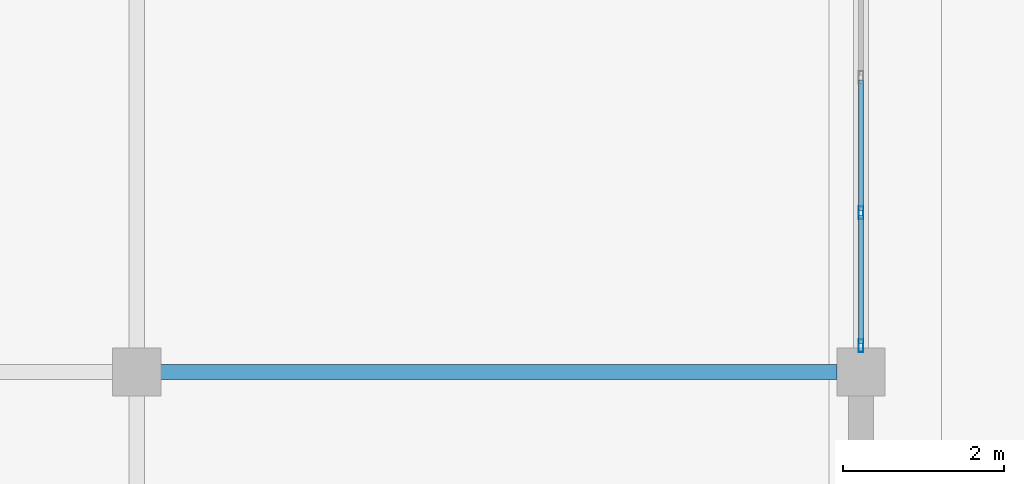
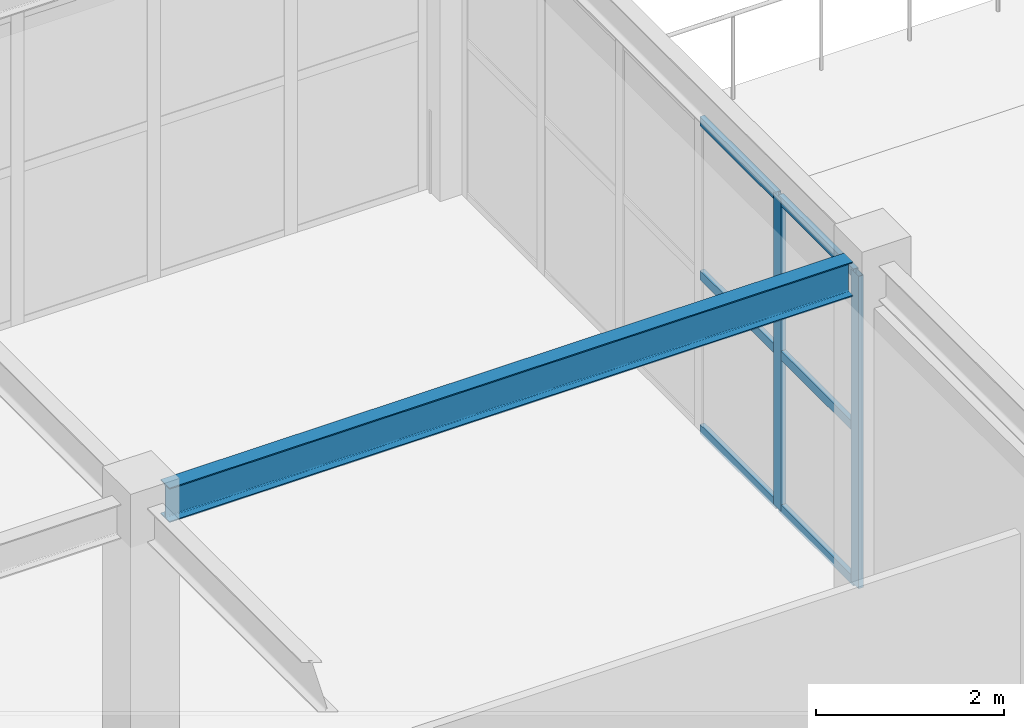
# One storey, part 91 of 167: 8 members, 1 beam, 1 element without a shape of its own.
"""IFC4 building model written with IfcOpenShell, lengths in metres."""

import ifcopenshell
import ifcopenshell.guid

model = None  # the IFC model being written
_history = None  # IfcOwnerHistory: only IFC2X3 demands one
_inside = {}  # id of a spatial element -> (the spatial element, [elements in it])
_under = {}  # id of a project, library or spatial element -> (it, [spatial elements below it])
_declared = {}  # id of a project -> (the project, [libraries it declares])
_typed = {}  # id of a type object -> (the type object, [elements of that type])
_made_of = {}  # id of a material, layer set ... -> (it, [elements and type objects made of it])


def new_model(schema):
    """Start an empty IFC model of exactly this schema.

    Asked for "IFC4X3", IfcOpenShell would pick the latest addendum, in which some entities
    have other attributes; the version numbers below select the first issue.
    IFC2X3 requires an IfcOwnerHistory on every rooted entity: one is made here for all.
    """
    global model, _history
    if schema == "IFC4X3":
        model = ifcopenshell.file(schema_version=(4, 3, 0, 0))
    else:
        model = ifcopenshell.file(schema=schema)
    _inside.clear()
    _under.clear()
    _declared.clear()
    _typed.clear()
    _made_of.clear()
    _history = None
    if model.schema == "IFC2X3":
        org = make("IfcOrganization", Name="unknown")
        user = make(
            "IfcPersonAndOrganization",
            ThePerson=make("IfcPerson", FamilyName="unknown"),
            TheOrganization=org,
        )
        app = make(
            "IfcApplication",
            ApplicationDeveloper=org,
            Version="unknown",
            ApplicationFullName="unknown",
            ApplicationIdentifier="unknown",
        )
        _history = make(
            "IfcOwnerHistory",
            OwningUser=user,
            OwningApplication=app,
            ChangeAction="ADDED",
            CreationDate=0,
        )
    return model


def make(cls, **values):
    """One entity of the class cls with the attributes given. An attribute that is None is left unset."""
    return model.create_entity(
        cls, **{name: value for name, value in values.items() if value is not None}
    )


def rooted(cls, **values):
    """An entity with a GlobalId (a new one), such as an element, a storey or a relation."""
    return make(cls, GlobalId=ifcopenshell.guid.new(), OwnerHistory=_history, **values)


def si_unit(unit_type, name, prefix=None):
    """IfcSIUnit, for example si_unit("LENGTHUNIT", "METRE", prefix="MILLI")."""
    return make("IfcSIUnit", UnitType=unit_type, Prefix=prefix, Name=name)


def assignment(units):
    """IfcUnitAssignment: the units of a project."""
    return None if units is None else make("IfcUnitAssignment", Units=units)


def point(xyz):
    """IfcCartesianPoint."""
    return None if xyz is None else make("IfcCartesianPoint", Coordinates=xyz)


def direction(xyz):
    """IfcDirection."""
    return None if xyz is None else make("IfcDirection", DirectionRatios=xyz)


def frame(location, z_axis=None, x_axis=None):
    """IfcAxis2Placement3D, a coordinate frame: its origin and axes. An axis left out is left unset."""
    return make(
        "IfcAxis2Placement3D",
        Location=point(location),
        Axis=direction(z_axis),
        RefDirection=direction(x_axis),
    )


def frame_2d(location, x_axis=None):
    """IfcAxis2Placement2D, a coordinate frame in the plane: its origin and x axis."""
    return make(
        "IfcAxis2Placement2D", Location=point(location), RefDirection=direction(x_axis)
    )


def origin():
    """The frame at (0, 0, 0) with its axes left unset."""
    return frame((0.0, 0.0, 0.0))


def origin_2d():
    """The frame at (0, 0) in the plane with its x axis left unset."""
    return frame_2d((0.0, 0.0))


def place(relative_to, where):
    """IfcLocalPlacement: puts the frame where relative to a parent placement (None: the world)."""
    return make(
        "IfcLocalPlacement", PlacementRelTo=relative_to, RelativePlacement=where
    )


def context(
    kind, dimensions, precision=None, world=None, true_north=None, identifier=None
):
    """IfcGeometricRepresentationContext, for example the 3D "Model" context."""
    return make(
        "IfcGeometricRepresentationContext",
        ContextIdentifier=identifier,
        ContextType=kind,
        CoordinateSpaceDimension=dimensions,
        Precision=precision,
        WorldCoordinateSystem=world,
        TrueNorth=true_north,
    )


def subcontext(parent, identifier, kind, view, scale=None):
    """IfcGeometricRepresentationSubContext, for example "Body" below "Model"."""
    return make(
        "IfcGeometricRepresentationSubContext",
        ContextIdentifier=identifier,
        ContextType=kind,
        ParentContext=parent,
        TargetScale=scale,
        TargetView=view,
    )


def project(units=None, contexts=None):
    """IfcProject with its units and contexts."""
    return rooted(
        "IfcProject",
        Name="project",
        RepresentationContexts=contexts,
        UnitsInContext=assignment(units),
    )


def spatial(cls, under=None, at=None, **own):
    """A site, building, storey or space (cls), placed at a placement, below another one or the project."""
    s = rooted(cls, ObjectPlacement=at, **own)
    if under is not None:
        _under.setdefault(under.id(), (under, []))[1].append(s)
    return s


def profile(cls, at=None, kind="AREA", **sizes):
    """A parametric profile (cls). Its sizes go by their IFC names, for example OverallWidth=200.0."""
    return make(cls, ProfileType=kind, Position=at, **sizes)


def hollow_rectangle(**sizes):
    """IfcRectangleHollowProfileDef."""
    return profile("IfcRectangleHollowProfileDef", **sizes)


def i_section(**sizes):
    """IfcIShapeProfileDef."""
    return profile("IfcIShapeProfileDef", **sizes)


def extrude(swept, where, along, depth):
    """IfcExtrudedAreaSolid: the profile swept, set in the frame where, extruded along a direction by depth."""
    return make(
        "IfcExtrudedAreaSolid",
        SweptArea=swept,
        Position=where,
        ExtrudedDirection=direction(along),
        Depth=depth,
    )


def shape(context_of_items, identifier, shape_type, items):
    """IfcShapeRepresentation: the items that make up one representation, for example the "Body"."""
    return make(
        "IfcShapeRepresentation",
        ContextOfItems=context_of_items,
        RepresentationIdentifier=identifier,
        RepresentationType=shape_type,
        Items=items,
    )


def material(Name=None, Category=None):
    """IfcMaterial."""
    return make("IfcMaterial", Name=Name, Category=Category)


def layer(
    of_material, thickness, ventilated=None, Name=None, Category=None, Priority=None
):
    """IfcMaterialLayer: one layer of a wall or slab, of a material (None: an air gap)."""
    return make(
        "IfcMaterialLayer",
        Material=of_material,
        LayerThickness=thickness,
        IsVentilated=ventilated,
        Name=Name,
        Category=Category,
        Priority=Priority,
    )


def layer_set(layers, Name=None):
    """IfcMaterialLayerSet."""
    return make("IfcMaterialLayerSet", MaterialLayers=layers, LayerSetName=Name)


def material_profile(
    of_material, cross_section, Name=None, Category=None, Priority=None
):
    """IfcMaterialProfile: a cross section and its material."""
    return make(
        "IfcMaterialProfile",
        Name=Name,
        Material=of_material,
        Profile=cross_section,
        Priority=Priority,
        Category=Category,
    )


def profile_set(profiles, Name=None, composite=None):
    """IfcMaterialProfileSet."""
    return make(
        "IfcMaterialProfileSet",
        Name=Name,
        MaterialProfiles=profiles,
        CompositeProfile=composite,
    )


def made_of(thing, what):
    """Note that an element or type object is made of a material, layer set ...; save() writes the relation."""
    if what is not None:
        _made_of.setdefault(what.id(), (what, []))[1].append(thing)
    return thing


def type_object(cls, material=None, **own):
    """A type object (cls), such as IfcWallType, which elements share."""
    return made_of(rooted(cls, **own), material)


def element(
    cls,
    number,
    at=None,
    inside=None,
    cuts=None,
    type_object=None,
    material=None,
    context=None,
    identifier="Body",
    shape_type=None,
    held_by="IfcProductDefinitionShape",
    body=None,
    shapes=None,
    **own,
):
    """One element of the class cls, such as IfcWall. Its Tag is "e" and its number.

    at: its placement. inside: the storey or other place that contains it. cuts: it is an
    opening in that element (IfcRelVoidsElement). A single representation is given by context,
    identifier, shape_type and body (its items); several are given by shapes. held_by: the class
    of the entity that holds the representations. save() writes the other relations.
    """
    e = rooted(cls, Tag="e%d" % number, ObjectPlacement=at, **own)
    if body is not None:
        shapes = [shape(context, identifier, shape_type, body)]
    if shapes is not None:
        e.Representation = make(held_by, Representations=shapes)
    if inside is not None:
        _inside.setdefault(inside.id(), (inside, []))[1].append(e)
    if cuts is not None:
        rooted(
            "IfcRelVoidsElement", RelatingBuildingElement=cuts, RelatedOpeningElement=e
        )
    if type_object is not None:
        _typed.setdefault(type_object.id(), (type_object, []))[1].append(e)
    return made_of(e, material)


def aggregate(whole, parts):
    """IfcRelAggregates: a whole, such as a stair, and the parts it consists of."""
    return rooted("IfcRelAggregates", RelatingObject=whole, RelatedObjects=parts)


def save(model, path):
    """Write the relations noted so far, then the file.

    IfcRelAggregates (storeys below a building ...), IfcRelContainedInSpatialStructure (elements
    in a storey), IfcRelDefinesByType, IfcRelAssociatesMaterial and IfcRelDeclares: one each for
    every whole, place, type object, material and project.
    """
    for whole, parts in _under.values():
        aggregate(whole, parts)
    for where, things in _inside.values():
        rooted(
            "IfcRelContainedInSpatialStructure",
            RelatedElements=things,
            RelatingStructure=where,
        )
    for kind, things in _typed.values():
        rooted("IfcRelDefinesByType", RelatedObjects=things, RelatingType=kind)
    for what, things in _made_of.values():
        rooted("IfcRelAssociatesMaterial", RelatedObjects=things, RelatingMaterial=what)
    for by, libraries in _declared.values():
        rooted("IfcRelDeclares", RelatingContext=by, RelatedDefinitions=libraries)
    model.write(path)


model = new_model("IFC4")

# Units and contexts
model_context = context("Model", 3, precision=1e-05, world=origin(), true_north=direction((0.0, 1.0)))
body_context = subcontext(model_context, "Body", "Model", "MODEL_VIEW")
ifc_project = project(units=[si_unit("LENGTHUNIT", "METRE"), si_unit("AREAUNIT", "SQUARE_METRE"), si_unit("VOLUMEUNIT", "CUBIC_METRE"), si_unit("PLANEANGLEUNIT", "RADIAN"), si_unit("MASSUNIT", "GRAM", prefix="KILO")], contexts=[model_context])

# Site, building, storey
site_placement = place(None, origin())
site = spatial("IfcSite", under=ifc_project, at=site_placement, CompositionType="ELEMENT")
building_placement = place(site_placement, origin())
building = spatial("IfcBuilding", under=site, at=building_placement, Name="Dornveld Trade and Exhibition Forum", CompositionType="ELEMENT")
storey_placement = place(building_placement, frame((0.0, 0.0, 16.800048828125)))
storey = spatial("IfcBuildingStorey", under=building, at=storey_placement, Name="L03", CompositionType="ELEMENT", Elevation=16.800048828125)

# Beam
ifc_material_1 = material(Name="Steel S355J2", Category="steel")
ifc_material_profile_1 = material_profile(ifc_material_1, i_section(OverallWidth=0.18994140625, OverallDepth=0.449951171875, WebThickness=0.009521484375, FlangeThickness=0.0146484375, FilletRadius=0.02099609375, at=origin_2d()), Name="IPE 450")
ifc_profile_set_1 = profile_set([ifc_material_profile_1], Name="Steel S355J2")
beam_type = type_object("IfcBeamType", Name="BM-SEC-450", PredefinedType="BEAM", material=ifc_profile_set_1)
beam_placement = place(storey_placement, frame((207.2958984375, 45.0, 4.324951171875), z_axis=(1.0, 0.0, 0.0), x_axis=(0.0, 1.0, 0.0)))
element("IfcBeam", 1, at=beam_placement, inside=storey, type_object=beam_type, Name="L03 X-girder 1614", PredefinedType="BEAM", context=body_context, shape_type="SweptSolid", body=[
    extrude(i_section(OverallWidth=0.18994140625, OverallDepth=0.449951171875, WebThickness=0.009521484375, FlangeThickness=0.0146484375, FilletRadius=0.02099609375, at=origin_2d()), origin(), (0.0, 0.0, 1.0), 8.408203125),
])

# Curtain wall, members
ifc_material_2 = material(Name="Dark-bronze anodised aluminium and low-E glass", Category="aluminium")
ifc_layer = layer(ifc_material_2, 0.175048828125)
ifc_layer_set = layer_set([ifc_layer], Name="Dark-bronze anodised aluminium and low-E glass")
curtain_wall_type = type_object("IfcCurtainWallType", Name="CW-SYS-11", PredefinedType="USERDEFINED", material=ifc_layer_set)
curtain_wall_placement = place(storey_placement, origin())
curtain_wall = element("IfcCurtainWall", 2, at=curtain_wall_placement, inside=storey, type_object=curtain_wall_type, Name="L03 unitised curtain wall 83", ObjectType="UNITISED_CURTAIN_WALL", PredefinedType="USERDEFINED")
ifc_material_3 = material(Name="Dark-bronze anodised aluminium", Category="aluminium")
ifc_material_profile_2 = material_profile(ifc_material_3, hollow_rectangle(XDim=0.06005859375, YDim=0.159912109375, WallThickness=0.00390625, at=origin_2d()), Name="RHS 160x60x4")
ifc_profile_set_2 = profile_set([ifc_material_profile_2], Name="Dark-bronze anodised aluminium")
member_type_1 = type_object("IfcMemberType", Name="CW-MUL-160", PredefinedType="MULLION", material=ifc_profile_set_2)
member_1_placement = place(storey_placement, frame((216.0, 45.325927734375, -0.004150390625), z_axis=(0.0, 0.0, 1.0), x_axis=(-1.0, 0.0, 0.0)))
member_1 = element("IfcMember", 3, at=member_1_placement, type_object=member_type_1, Name="CW-11 mullion 1", PredefinedType="MULLION", context=body_context, shape_type="SweptSolid", body=[
    extrude(hollow_rectangle(XDim=0.06005859375, YDim=0.159912109375, WallThickness=0.00390625, at=origin_2d()), origin(), (0.0, 0.0, 1.0), 4.064208984375),
])
member_2_placement = place(storey_placement, frame((216.0, 46.9775390625, -0.004150390625), z_axis=(0.0, 0.0, 1.0), x_axis=(-1.0, 0.0, 0.0)))
member_2 = element("IfcMember", 4, at=member_2_placement, type_object=member_type_1, Name="CW-11 mullion 2", PredefinedType="MULLION", context=body_context, shape_type="SweptSolid", body=[
    extrude(hollow_rectangle(XDim=0.06005859375, YDim=0.159912109375, WallThickness=0.00390625, at=origin_2d()), origin(), (0.0, 0.0, 1.0), 4.064208984375),
])
ifc_material_4 = material(Name="Dark-bronze anodised aluminium", Category="aluminium")
ifc_material_profile_3 = material_profile(ifc_material_4, hollow_rectangle(XDim=0.06005859375, YDim=0.1201171875, WallThickness=0.00390625, at=origin_2d()), Name="RHS 120x60x4")
ifc_profile_set_3 = profile_set([ifc_material_profile_3], Name="Dark-bronze anodised aluminium")
member_type_2 = type_object("IfcMemberType", Name="CW-TRN-120", PredefinedType="USERDEFINED", material=ifc_profile_set_3)
member_3_placement = place(storey_placement, frame((216.0, 45.35595703125, 0.02587890625), z_axis=(0.0, 1.0, 0.0), x_axis=(-1.0, 0.0, 0.0)))
member_3 = element("IfcMember", 5, at=member_3_placement, type_object=member_type_2, Name="CW-11 transom 1.1", ObjectType="TRANSOM", PredefinedType="USERDEFINED", context=body_context, shape_type="SweptSolid", body=[
    extrude(hollow_rectangle(XDim=0.06005859375, YDim=0.1201171875, WallThickness=0.00390625, at=origin_2d()), origin(), (0.0, 0.0, 1.0), 1.591552734375),
])
member_4_placement = place(storey_placement, frame((216.0, 45.35595703125, 2.02783203125), z_axis=(0.0, 1.0, 0.0), x_axis=(-1.0, 0.0, 0.0)))
member_4 = element("IfcMember", 6, at=member_4_placement, type_object=member_type_2, Name="CW-11 transom 1.2", ObjectType="TRANSOM", PredefinedType="USERDEFINED", context=body_context, shape_type="SweptSolid", body=[
    extrude(hollow_rectangle(XDim=0.06005859375, YDim=0.1201171875, WallThickness=0.00390625, at=origin_2d()), origin(), (0.0, 0.0, 1.0), 1.591552734375),
])
member_5_placement = place(storey_placement, frame((216.0, 45.35595703125, 4.030029296875), z_axis=(0.0, 1.0, 0.0), x_axis=(-1.0, 0.0, 0.0)))
member_5 = element("IfcMember", 7, at=member_5_placement, type_object=member_type_2, Name="CW-11 transom 1.3", ObjectType="TRANSOM", PredefinedType="USERDEFINED", context=body_context, shape_type="SweptSolid", body=[
    extrude(hollow_rectangle(XDim=0.06005859375, YDim=0.1201171875, WallThickness=0.00390625, at=origin_2d()), origin(), (0.0, 0.0, 1.0), 1.591552734375),
])
member_6_placement = place(storey_placement, frame((216.0, 47.007568359375, 0.02587890625), z_axis=(0.0, 1.0, 0.0), x_axis=(-1.0, 0.0, 0.0)))
member_6 = element("IfcMember", 8, at=member_6_placement, type_object=member_type_2, Name="CW-11 transom 2.1", ObjectType="TRANSOM", PredefinedType="USERDEFINED", context=body_context, shape_type="SweptSolid", body=[
    extrude(hollow_rectangle(XDim=0.06005859375, YDim=0.1201171875, WallThickness=0.00390625, at=origin_2d()), origin(), (0.0, 0.0, 1.0), 1.62158203125),
])
member_7_placement = place(storey_placement, frame((216.0, 47.007568359375, 2.02783203125), z_axis=(0.0, 1.0, 0.0), x_axis=(-1.0, 0.0, 0.0)))
member_7 = element("IfcMember", 9, at=member_7_placement, type_object=member_type_2, Name="CW-11 transom 2.2", ObjectType="TRANSOM", PredefinedType="USERDEFINED", context=body_context, shape_type="SweptSolid", body=[
    extrude(hollow_rectangle(XDim=0.06005859375, YDim=0.1201171875, WallThickness=0.00390625, at=origin_2d()), origin(), (0.0, 0.0, 1.0), 1.62158203125),
])
member_8_placement = place(storey_placement, frame((216.0, 47.007568359375, 4.030029296875), z_axis=(0.0, 1.0, 0.0), x_axis=(-1.0, 0.0, 0.0)))
member_8 = element("IfcMember", 10, at=member_8_placement, type_object=member_type_2, Name="CW-11 transom 2.3", ObjectType="TRANSOM", PredefinedType="USERDEFINED", context=body_context, shape_type="SweptSolid", body=[
    extrude(hollow_rectangle(XDim=0.06005859375, YDim=0.1201171875, WallThickness=0.00390625, at=origin_2d()), origin(), (0.0, 0.0, 1.0), 1.62158203125),
])
aggregate(curtain_wall, [member_1, member_2, member_3, member_4, member_5, member_6, member_7, member_8])

save(model, "model.ifc")
